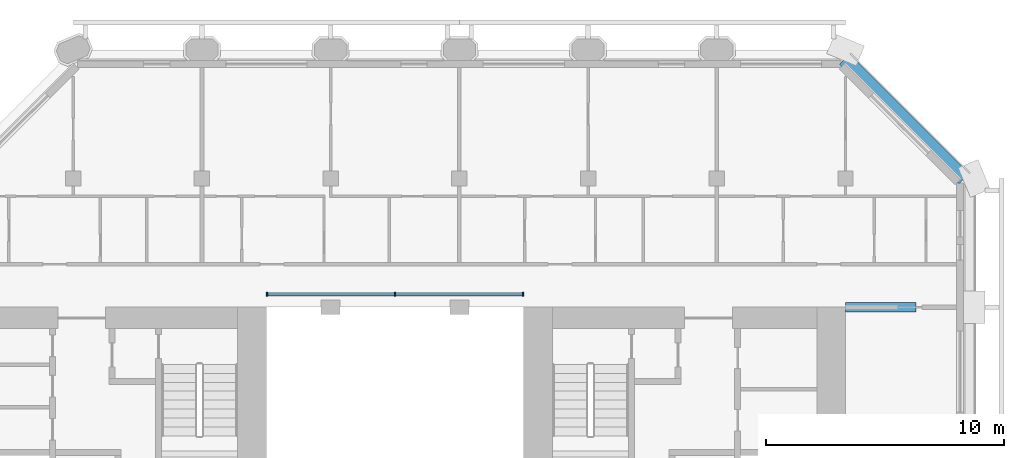
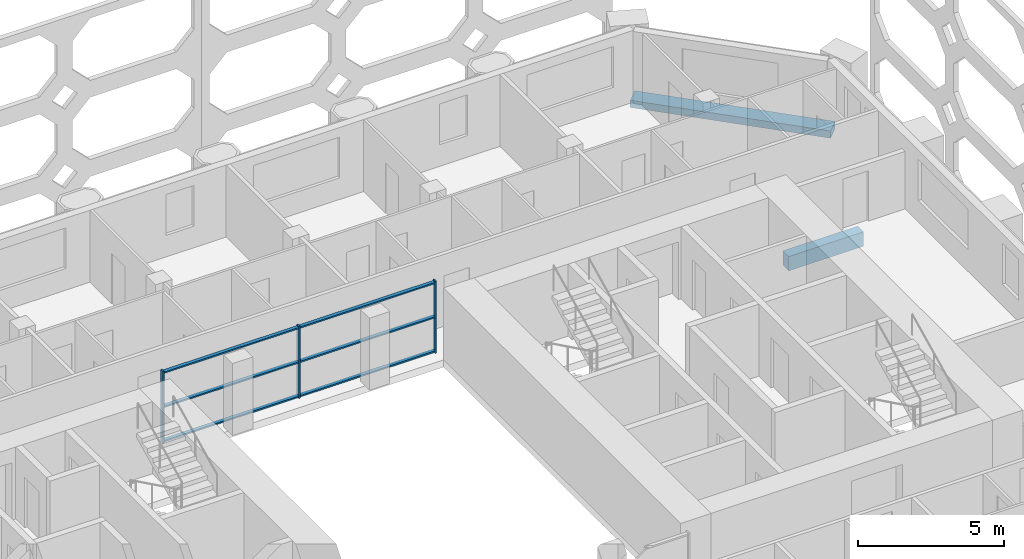
# One storey, part 4 of 15: 9 members, 2 beams, 1 element without a shape of its own.
"""IFC4 building model written with IfcOpenShell, lengths in metres."""

from ifc_helpers import new_model, si_unit, direction, frame, origin, origin_2d, place, context, subcontext, project, spatial, rectangle, extrude, material, material_profile, profile_set, type_object, element, aggregate, save


model = new_model("IFC4")

# Units and contexts
model_context = context("Model", 3, precision=1e-05, world=origin(), true_north=direction((0.0, 1.0)))
body_context = subcontext(model_context, "Body", "Model", "MODEL_VIEW")
ifc_project = project(units=[si_unit("LENGTHUNIT", "METRE"), si_unit("AREAUNIT", "SQUARE_METRE"), si_unit("VOLUMEUNIT", "CUBIC_METRE"), si_unit("PLANEANGLEUNIT", "RADIAN"), si_unit("MASSUNIT", "GRAM", prefix="KILO")], contexts=[model_context])

# Site, building, storey
site_placement = place(None, origin())
site = spatial("IfcSite", under=ifc_project, at=site_placement, CompositionType="ELEMENT")
building_placement = place(site_placement, origin())
building = spatial("IfcBuilding", under=site, at=building_placement, Name="Tabaq Tower and Sports Hall", CompositionType="ELEMENT")
storey_placement = place(building_placement, frame((0.0, 0.0, 278.5)))
storey = spatial("IfcBuildingStorey", under=building, at=storey_placement, Name="L68", CompositionType="ELEMENT", Elevation=278.5)

# Curtain wall, members
ifc_material_1 = material(Name="Aluminium alloy 6063-T6 framed glazing", Category="aluminium")
curtain_wall_type = type_object("IfcCurtainWallType", Name="CW1 curtain wall", PredefinedType="USERDEFINED", material=ifc_material_1)
curtain_wall_placement = place(storey_placement, origin())
curtain_wall = element("IfcCurtainWall", 1, at=curtain_wall_placement, inside=storey, type_object=curtain_wall_type, Name="Atrium glazing L68 N", ObjectType="ATRIUM ENCLOSURE", PredefinedType="USERDEFINED")
ifc_material_2 = material(Name="Aluminium alloy 6063-T6", Category="aluminium")
ifc_material_profile_1 = material_profile(ifc_material_2, rectangle(XDim=0.159912109375, YDim=0.06005859375, at=origin_2d()), Name="MULLION 160x60")
ifc_profile_set_1 = profile_set([ifc_material_profile_1], Name="Aluminium alloy 6063-T6")
member_type_1 = type_object("IfcMemberType", Name="CW1 mullion 160x60", PredefinedType="MULLION", material=ifc_profile_set_1)
member_1_placement = place(storey_placement, frame((18.929931640625, 32.949951171875, 0.0), z_axis=(0.0, 0.0, 1.0), x_axis=(0.0, 1.0, 0.0)))
member_1 = element("IfcMember", 2, at=member_1_placement, type_object=member_type_1, Name="CW1 mullion 1", PredefinedType="MULLION", context=body_context, shape_type="SweptSolid", body=[
    extrude(rectangle(XDim=0.159912109375, YDim=0.06005859375, at=origin_2d()), origin(), (0.0, 0.0, 1.0), 3.0),
])
member_2_placement = place(storey_placement, frame((24.300048828125, 32.949951171875, 0.0), z_axis=(0.0, 0.0, 1.0), x_axis=(0.0, 1.0, 0.0)))
member_2 = element("IfcMember", 3, at=member_2_placement, type_object=member_type_1, Name="CW1 mullion 2", PredefinedType="MULLION", context=body_context, shape_type="SweptSolid", body=[
    extrude(rectangle(XDim=0.159912109375, YDim=0.06005859375, at=origin_2d()), origin(), (0.0, 0.0, 1.0), 3.0),
])
member_3_placement = place(storey_placement, frame((29.669921875, 32.949951171875, 0.0), z_axis=(0.0, 0.0, 1.0), x_axis=(0.0, 1.0, 0.0)))
member_3 = element("IfcMember", 4, at=member_3_placement, type_object=member_type_1, Name="CW1 mullion 3", PredefinedType="MULLION", context=body_context, shape_type="SweptSolid", body=[
    extrude(rectangle(XDim=0.159912109375, YDim=0.06005859375, at=origin_2d()), origin(), (0.0, 0.0, 1.0), 3.0),
])
ifc_material_3 = material(Name="Aluminium alloy 6063-T6", Category="aluminium")
ifc_material_profile_2 = material_profile(ifc_material_3, rectangle(XDim=0.139892578125, YDim=0.06005859375, at=origin_2d()), Name="TRANSOM 140x60")
ifc_profile_set_2 = profile_set([ifc_material_profile_2], Name="Aluminium alloy 6063-T6")
member_type_2 = type_object("IfcMemberType", Name="CW1 transom 140x60", PredefinedType="USERDEFINED", material=ifc_profile_set_2)
member_4_placement = place(storey_placement, frame((18.9599609375, 32.949951171875, 0.070068359375), z_axis=(1.0, 0.0, 0.0), x_axis=(0.0, 1.0, 0.0)))
member_4 = element("IfcMember", 5, at=member_4_placement, type_object=member_type_2, Name="CW1 transom 1.1", ObjectType="TRANSOM", PredefinedType="USERDEFINED", context=body_context, shape_type="SweptSolid", body=[
    extrude(rectangle(XDim=0.139892578125, YDim=0.06005859375, at=origin_2d()), origin(), (0.0, 0.0, 1.0), 5.31005859375),
])
member_5_placement = place(storey_placement, frame((18.9599609375, 32.949951171875, 1.5), z_axis=(1.0, 0.0, 0.0), x_axis=(0.0, 1.0, 0.0)))
member_5 = element("IfcMember", 6, at=member_5_placement, type_object=member_type_2, Name="CW1 transom 1.2", ObjectType="TRANSOM", PredefinedType="USERDEFINED", context=body_context, shape_type="SweptSolid", body=[
    extrude(rectangle(XDim=0.139892578125, YDim=0.06005859375, at=origin_2d()), origin(), (0.0, 0.0, 1.0), 5.31005859375),
])
member_6_placement = place(storey_placement, frame((18.9599609375, 32.949951171875, 2.929931640625), z_axis=(1.0, 0.0, 0.0), x_axis=(0.0, 1.0, 0.0)))
member_6 = element("IfcMember", 7, at=member_6_placement, type_object=member_type_2, Name="CW1 transom 1.3", ObjectType="TRANSOM", PredefinedType="USERDEFINED", context=body_context, shape_type="SweptSolid", body=[
    extrude(rectangle(XDim=0.139892578125, YDim=0.06005859375, at=origin_2d()), origin(), (0.0, 0.0, 1.0), 5.31005859375),
])
member_7_placement = place(storey_placement, frame((24.330078125, 32.949951171875, 0.070068359375), z_axis=(1.0, 0.0, 0.0), x_axis=(0.0, 1.0, 0.0)))
member_7 = element("IfcMember", 8, at=member_7_placement, type_object=member_type_2, Name="CW1 transom 2.1", ObjectType="TRANSOM", PredefinedType="USERDEFINED", context=body_context, shape_type="SweptSolid", body=[
    extrude(rectangle(XDim=0.139892578125, YDim=0.06005859375, at=origin_2d()), origin(), (0.0, 0.0, 1.0), 5.309814453125),
])
member_8_placement = place(storey_placement, frame((24.330078125, 32.949951171875, 1.5), z_axis=(1.0, 0.0, 0.0), x_axis=(0.0, 1.0, 0.0)))
member_8 = element("IfcMember", 9, at=member_8_placement, type_object=member_type_2, Name="CW1 transom 2.2", ObjectType="TRANSOM", PredefinedType="USERDEFINED", context=body_context, shape_type="SweptSolid", body=[
    extrude(rectangle(XDim=0.139892578125, YDim=0.06005859375, at=origin_2d()), origin(), (0.0, 0.0, 1.0), 5.309814453125),
])
member_9_placement = place(storey_placement, frame((24.330078125, 32.949951171875, 2.929931640625), z_axis=(1.0, 0.0, 0.0), x_axis=(0.0, 1.0, 0.0)))
member_9 = element("IfcMember", 10, at=member_9_placement, type_object=member_type_2, Name="CW1 transom 2.3", ObjectType="TRANSOM", PredefinedType="USERDEFINED", context=body_context, shape_type="SweptSolid", body=[
    extrude(rectangle(XDim=0.139892578125, YDim=0.06005859375, at=origin_2d()), origin(), (0.0, 0.0, 1.0), 5.309814453125),
])
aggregate(curtain_wall, [member_1, member_2, member_3, member_4, member_5, member_6, member_7, member_8, member_9])

# Beams
ifc_material_4 = material(Name="Concrete C40/50", Category="concrete")
ifc_material_profile_3 = material_profile(ifc_material_4, rectangle(XDim=0.39990234375, YDim=0.60009765625, at=origin_2d()), Name="CB 400x600")
ifc_profile_set_3 = profile_set([ifc_material_profile_3], Name="Concrete C40/50")
beam_type_1 = type_object("IfcBeamType", Name="PT CANTILEVER BEAM CB 400x600 C40/50", PredefinedType="BEAM", material=ifc_profile_set_3)
beam_1_placement = place(storey_placement, frame((46.14990234375, 32.39990234375, -0.60009765625), z_axis=(-1.0, 0.0, 0.0), x_axis=(0.0, -1.0, 0.0)))
element("IfcBeam", 11, at=beam_1_placement, inside=storey, type_object=beam_type_1, Name="Cantilever Beam L68 E6 span 1", PredefinedType="BEAM", context=body_context, shape_type="SweptSolid", body=[
    extrude(rectangle(XDim=0.39990234375, YDim=0.60009765625, at=origin_2d()), origin(), (0.0, 0.0, 1.0), 2.949951171875),
])
ifc_material_5 = material(Name="Concrete C40/50", Category="concrete")
ifc_material_profile_4 = material_profile(ifc_material_5, rectangle(XDim=0.60009765625, YDim=0.300048828125, at=origin_2d()), Name="EB 600x300")
ifc_profile_set_4 = profile_set([ifc_material_profile_4], Name="Concrete C40/50")
beam_type_2 = type_object("IfcBeamType", Name="PT EDGE BEAM EB 600x300 C40/50", PredefinedType="SPANDREL", material=ifc_profile_set_4)
beam_2_placement = place(storey_placement, frame((48.1767578125, 37.799072265625, -0.14990234375), z_axis=(-0.707124002701, 0.707089559252, 0.0), x_axis=(-0.707089559252, -0.707124002701, 0.0)))
element("IfcBeam", 12, at=beam_2_placement, inside=storey, type_object=beam_type_2, Name="Edge Beam L68 4", PredefinedType="SPANDREL", context=body_context, shape_type="SweptSolid", body=[
    extrude(rectangle(XDim=0.60009765625, YDim=0.300048828125, at=origin_2d()), origin(), (0.0, 0.0, 1.0), 7.088134765625),
])

save(model, "model.ifc")
